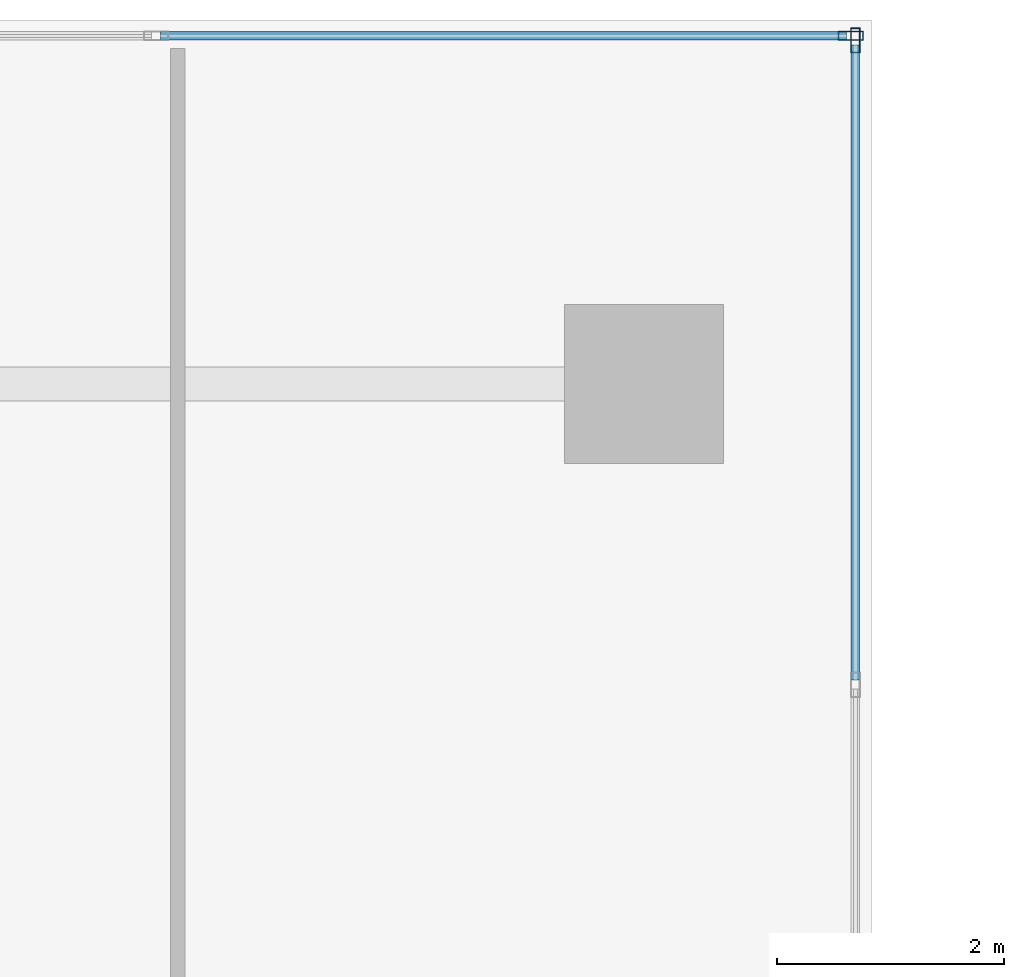
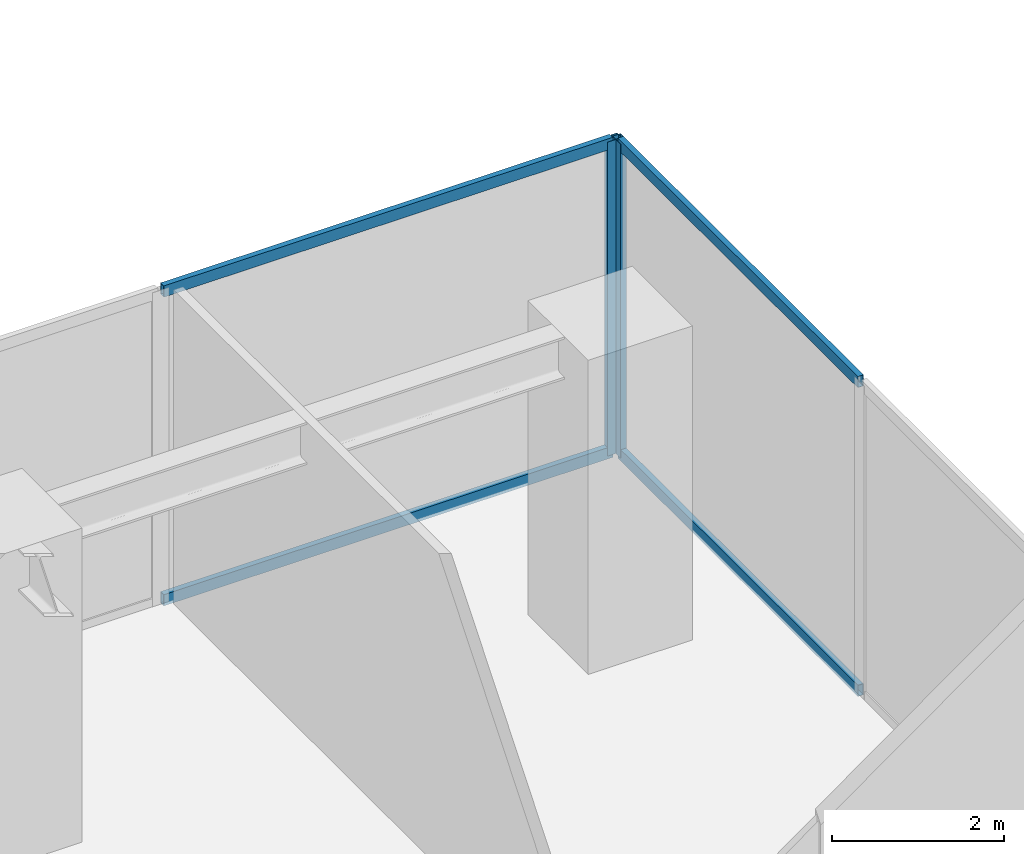
# One storey, part 7 of 16: 6 members, 2 elements without a shape of their own.
"""IFC4 building model written with IfcOpenShell, lengths in metres."""

from ifc_helpers import new_model, si_unit, direction, frame, origin, origin_with_axes, origin_2d, place, context, subcontext, project, spatial, hollow_rectangle, extrude, source, transform, mapped, material, layer, layer_set, material_profile, profile_set, type_object, element, aggregate, save


model = new_model("IFC4")

# Units and contexts
model_context = context("Model", 3, precision=1e-05, world=origin(), true_north=direction((0.0, 1.0)))
body_context = subcontext(model_context, "Body", "Model", "MODEL_VIEW")
ifc_project = project(units=[si_unit("LENGTHUNIT", "METRE"), si_unit("AREAUNIT", "SQUARE_METRE"), si_unit("VOLUMEUNIT", "CUBIC_METRE"), si_unit("PLANEANGLEUNIT", "RADIAN"), si_unit("MASSUNIT", "GRAM", prefix="KILO")], contexts=[model_context])

# Site, building, storey
site_placement = place(None, origin())
site = spatial("IfcSite", under=ifc_project, at=site_placement, CompositionType="ELEMENT")
building_placement = place(site_placement, origin())
building = spatial("IfcBuilding", under=site, at=building_placement, Name="Kolvaren Waterfront Exchange", CompositionType="ELEMENT")
storey_placement = place(building_placement, frame((0.0, 0.0, 20.0)))
storey = spatial("IfcBuildingStorey", under=building, at=storey_placement, Name="L05", CompositionType="ELEMENT", Elevation=20.0)

# Curtain wall, member
ifc_material_1 = material(Name="Anodised bronze aluminium 6063-T6", Category="aluminium")
ifc_layer_1 = layer(ifc_material_1, 0.219970703125, Name="Anodised bronze aluminium 6063-T6")
ifc_layer_set_1 = layer_set([ifc_layer_1], Name="Anodised bronze aluminium 6063-T6")
curtain_wall_type_1 = type_object("IfcCurtainWallType", Name="ARC-CW-SYS4", PredefinedType="USERDEFINED", material=ifc_layer_set_1)
curtain_wall_1_placement = place(storey_placement, origin())
curtain_wall_1 = element("IfcCurtainWall", 1, at=curtain_wall_1_placement, inside=storey, type_object=curtain_wall_type_1, Name="L05 stick curtain wall CW4 (CW-L05-N1)", ObjectType="STICK CURTAIN WALL", PredefinedType="USERDEFINED")
ifc_material_2 = material(Name="Anodised aluminium 6063-T6", Category="aluminium")
ifc_material_profile_1 = material_profile(ifc_material_2, hollow_rectangle(XDim=0.080078125, YDim=0.219970703125, WallThickness=0.0048828125, at=origin_2d()), Name="ALU-MUL-220x80x5")
ifc_profile_set_1 = profile_set([ifc_material_profile_1], Name="Anodised aluminium 6063-T6")
member_type_1 = type_object("IfcMemberType", Name="ARC-CWM-220", PredefinedType="MULLION", material=ifc_profile_set_1)
shared_shape_1 = source(origin_with_axes(), body_context, "Body", "SweptSolid", [
    extrude(hollow_rectangle(XDim=0.080078125, YDim=0.219970703125, WallThickness=0.0048828125, at=origin_2d()), origin(), (0.0, 0.0, 1.0), 4.4599609375),
])
member_1_placement = place(storey_placement, frame((37.260009765625, 51.02001953125, 0.0), z_axis=(0.0, 0.0, 1.0), x_axis=(-1.0, 0.0, 0.0)))
member_1 = element("IfcMember", 2, at=member_1_placement, type_object=member_type_1, Name="CW4 mullion 3", PredefinedType="MULLION", context=body_context, shape_type="MappedRepresentation", body=[
    mapped(shared_shape_1, transform((0.0, 0.0, 0.0), x_axis=(1.0, 0.0, 0.0), y_axis=(0.0, 1.0, 0.0), z_axis=(0.0, 0.0, 1.0), scale=1.0)),
])

ifc_layer_2 = layer(ifc_material_1, 0.219970703125, Name="Anodised bronze aluminium 6063-T6")
ifc_layer_set_2 = layer_set([ifc_layer_2], Name="Anodised bronze aluminium 6063-T6")
curtain_wall_type_2 = type_object("IfcCurtainWallType", Name="ARC-CW-SYS1", PredefinedType="USERDEFINED", material=ifc_layer_set_2)
curtain_wall_2_placement = place(storey_placement, origin())
curtain_wall_2 = element("IfcCurtainWall", 3, at=curtain_wall_2_placement, inside=storey, type_object=curtain_wall_type_2, Name="L05 stick curtain wall CW1 (CW-L05-N2)", ObjectType="STICK CURTAIN WALL", PredefinedType="USERDEFINED")
member_2_placement = place(storey_placement, frame((37.219970703125, 51.06005859375, 0.0), z_axis=(0.0, 0.0, 1.0), x_axis=(0.0, -1.0, 0.0)))
member_2 = element("IfcMember", 4, at=member_2_placement, type_object=member_type_1, Name="CW1 mullion 1", PredefinedType="MULLION", context=body_context, shape_type="MappedRepresentation", body=[
    mapped(shared_shape_1, transform((0.0, 0.0, 0.0), x_axis=(1.0, 0.0, 0.0), y_axis=(0.0, 1.0, 0.0), z_axis=(0.0, 0.0, 1.0), scale=1.0)),
])

# Member
ifc_material_profile_2 = material_profile(ifc_material_2, hollow_rectangle(XDim=0.074951171875, YDim=0.159912109375, WallThickness=0.00439453125, at=origin_2d()), Name="ALU-TRN-160x75x4.5")
ifc_profile_set_2 = profile_set([ifc_material_profile_2], Name="Anodised aluminium 6063-T6")
member_type_2 = type_object("IfcMemberType", Name="ARC-CWT-160", PredefinedType="USERDEFINED", material=ifc_profile_set_2)
shared_shape_2 = source(origin_with_axes(), body_context, "Body", "SweptSolid", [
    extrude(hollow_rectangle(XDim=0.074951171875, YDim=0.159912109375, WallThickness=0.00439453125, at=origin_2d()), origin(), (0.0, 0.0, 1.0), 5.5849609375),
])
member_3_placement = place(storey_placement, frame((37.260009765625, 45.39501953125, 0.03759765625), z_axis=(0.0, 1.0, 0.0), x_axis=(-1.0, 0.0, 0.0)))
member_3 = element("IfcMember", 5, at=member_3_placement, type_object=member_type_2, Name="CW4 transom 2.1", ObjectType="TRANSOM", PredefinedType="USERDEFINED", context=body_context, shape_type="MappedRepresentation", body=[
    mapped(shared_shape_2, transform((0.0, 0.0, 0.0), x_axis=(1.0, 0.0, 0.0), y_axis=(0.0, 1.0, 0.0), z_axis=(0.0, 0.0, 1.0), scale=1.0)),
])

member_4_placement = place(storey_placement, frame((37.260009765625, 45.39501953125, 4.422607421875), z_axis=(0.0, 1.0, 0.0), x_axis=(-1.0, 0.0, 0.0)))
member_4 = element("IfcMember", 6, at=member_4_placement, type_object=member_type_2, Name="CW4 transom 2.2", ObjectType="TRANSOM", PredefinedType="USERDEFINED", context=body_context, shape_type="MappedRepresentation", body=[
    mapped(shared_shape_2, transform((0.0, 0.0, 0.0), x_axis=(1.0, 0.0, 0.0), y_axis=(0.0, 1.0, 0.0), z_axis=(0.0, 0.0, 1.0), scale=1.0)),
])

aggregate(curtain_wall_1, [member_1, member_3, member_4])

shared_shape_3 = source(origin_with_axes(), body_context, "Body", "SweptSolid", [
    extrude(hollow_rectangle(XDim=0.074951171875, YDim=0.159912109375, WallThickness=0.00439453125, at=origin_2d()), origin(), (0.0, 0.0, 1.0), 6.031494140625),
])
member_5_placement = place(storey_placement, frame((37.179931640625, 51.06005859375, 0.03759765625), z_axis=(-1.0, 0.0, 0.0), x_axis=(0.0, -1.0, 0.0)))
member_5 = element("IfcMember", 7, at=member_5_placement, type_object=member_type_2, Name="CW1 transom 1.1", ObjectType="TRANSOM", PredefinedType="USERDEFINED", context=body_context, shape_type="MappedRepresentation", body=[
    mapped(shared_shape_3, transform((0.0, 0.0, 0.0), x_axis=(1.0, 0.0, 0.0), y_axis=(0.0, 1.0, 0.0), z_axis=(0.0, 0.0, 1.0), scale=1.0)),
])

member_6_placement = place(storey_placement, frame((37.179931640625, 51.06005859375, 4.422607421875), z_axis=(-1.0, 0.0, 0.0), x_axis=(0.0, -1.0, 0.0)))
member_6 = element("IfcMember", 8, at=member_6_placement, type_object=member_type_2, Name="CW1 transom 1.2", ObjectType="TRANSOM", PredefinedType="USERDEFINED", context=body_context, shape_type="MappedRepresentation", body=[
    mapped(shared_shape_3, transform((0.0, 0.0, 0.0), x_axis=(1.0, 0.0, 0.0), y_axis=(0.0, 1.0, 0.0), z_axis=(0.0, 0.0, 1.0), scale=1.0)),
])

aggregate(curtain_wall_2, [member_2, member_5, member_6])

save(model, "model.ifc")
